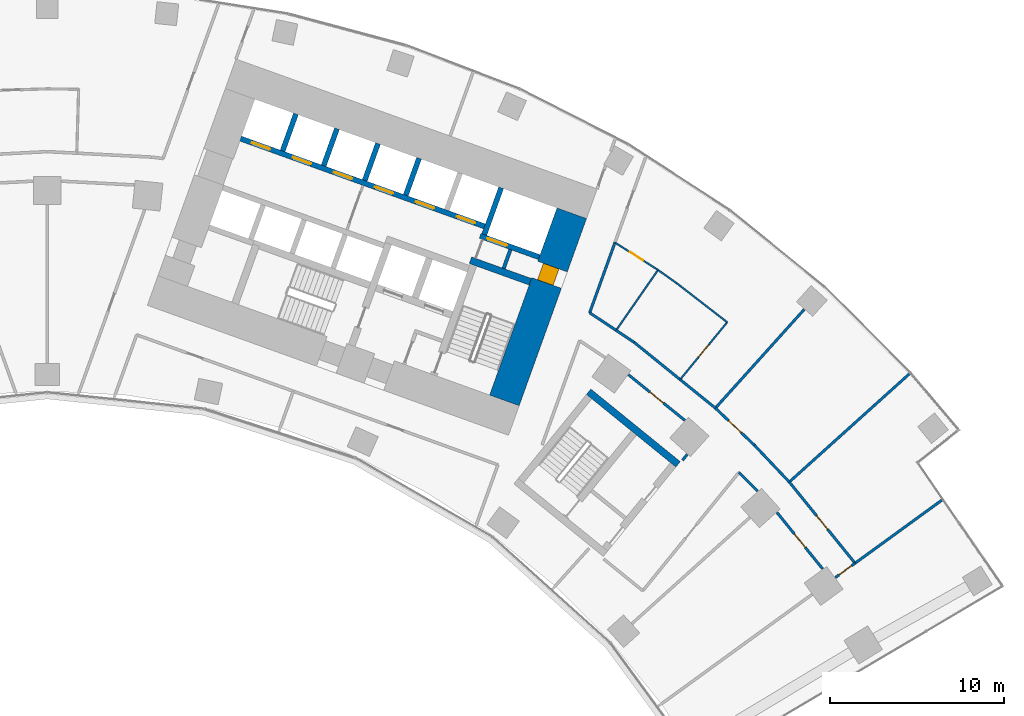
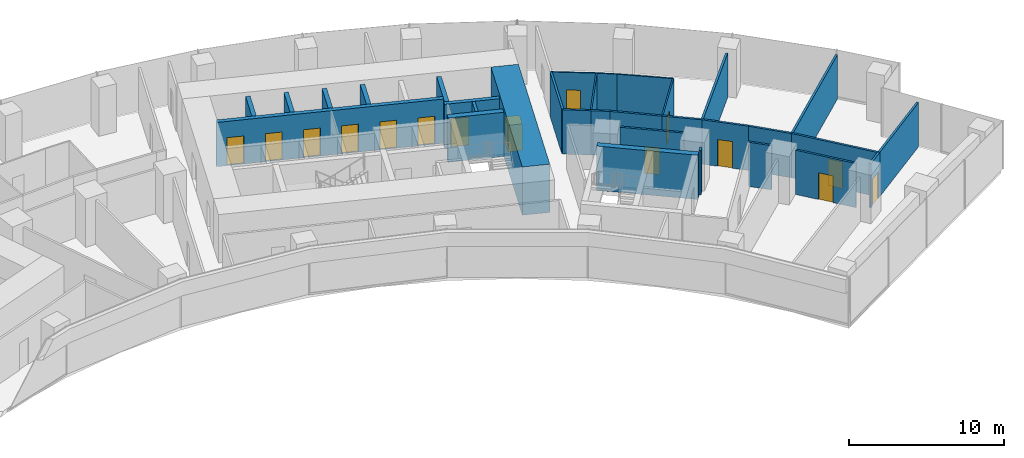
# One storey, part 18 of 21: 32 walls, 15 doors, 15 openings.
"""IFC4 building model written with IfcOpenShell, lengths in metres."""

from ifc_helpers import new_model, si_unit, direction, frame, frame_2d, origin, place, context, subcontext, project, spatial, rectangle, extrude, material, layer, layer_set, type_object, element, fill, save


model = new_model("IFC4")

# Units and contexts
model_context = context("Model", 3, precision=1e-05, world=origin(), true_north=direction((0.0, 1.0)))
body_context = subcontext(model_context, "Body", "Model", "MODEL_VIEW")
ifc_project = project(units=[si_unit("LENGTHUNIT", "METRE"), si_unit("AREAUNIT", "SQUARE_METRE"), si_unit("VOLUMEUNIT", "CUBIC_METRE"), si_unit("PLANEANGLEUNIT", "RADIAN"), si_unit("MASSUNIT", "GRAM", prefix="KILO")], contexts=[model_context])

# Site, building, storey
site_placement = place(None, origin())
site = spatial("IfcSite", under=ifc_project, at=site_placement, CompositionType="ELEMENT")
building_placement = place(site_placement, origin())
building = spatial("IfcBuilding", under=site, at=building_placement, Name="Stone Belt Terrace Tower", CompositionType="ELEMENT")
storey_placement = place(building_placement, frame((0.0, 0.0, 33.800048828125)))
storey = spatial("IfcBuildingStorey", under=building, at=storey_placement, Name="L07", CompositionType="ELEMENT", Elevation=33.800048828125)

# Wall, opening, door
ifc_material_1 = material(Name="Concrete B80", Category="concrete")
ifc_layer_1 = layer(ifc_material_1, 1.800048828125)
ifc_layer_set_1 = layer_set([ifc_layer_1], Name="Core wall 1800 B80")
wall_type_1 = type_object("IfcWallType", Name="Core wall 1800 B80", PredefinedType="SHEAR", material=ifc_layer_set_1)
wall_1_placement = place(storey_placement, frame((26.197509765625, 42.96728515625, 0.0), z_axis=(0.0, 0.0, 1.0), x_axis=(0.338625431531, 0.940921259788, 0.0)))
wall_1 = element("IfcWall", 1, at=wall_1_placement, inside=storey, type_object=wall_type_1, Name="Core B wall end_b L07", PredefinedType="SHEAR", context=body_context, shape_type="SweptSolid", body=[
    extrude(rectangle(XDim=11.400146484375, YDim=1.800048828125, at=frame_2d((5.7001953125, 0.0))), origin(), (0.0, 0.0, 1.0), 3.800048828125),
])
opening_1_placement = place(wall_1_placement, frame((7.150146484375, 0.0, 0.0)))
opening_1 = element("IfcOpeningElement", 2, at=opening_1_placement, cuts=wall_1, Name="Opening L07-C11", PredefinedType="OPENING", context=body_context, shape_type="SweptSolid", body=[
    extrude(rectangle(XDim=1.0, YDim=2.10009765625, at=frame_2d((0.5, 1.050048828125))), frame((0.0, 0.909912109375, 0.0), z_axis=(0.0, -1.0, 0.0), x_axis=(1.0, 0.0, 0.0)), (0.0, 0.0, 1.0), 1.820068359375),
])
ifc_material_2 = material(Name="Timber door leaf", Category="wood")
door_type_1 = type_object("IfcDoorType", Name="Core room door 1000", OperationType="SINGLE_SWING_LEFT", PredefinedType="DOOR", material=ifc_material_2)
door_1_placement = place(opening_1_placement, origin())
door_1 = element("IfcDoor", 3, at=door_1_placement, inside=storey, type_object=door_type_1, Name="Door to Telecommunications riser room core B", OperationType="SINGLE_SWING_RIGHT", OverallHeight=2.10009765625, OverallWidth=1.0, PredefinedType="DOOR", context=body_context, shape_type="SweptSolid", body=[
    extrude(rectangle(XDim=1.0, YDim=2.10009765625, at=frame_2d((0.5, 1.050048828125))), frame((0.0, 0.55517578125, 0.0), z_axis=(0.0, -1.0, 0.0), x_axis=(1.0, 0.0, 0.0)), (0.0, 0.0, 1.0), 0.949951171875),
])
fill(opening_1, door_1)

ifc_layer_2 = layer(ifc_material_1, 0.300048828125)
ifc_layer_set_2 = layer_set([ifc_layer_2], Name="Lift shaft wall 300")
wall_type_2 = type_object("IfcWallType", Name="Lift shaft wall 300", PredefinedType="SHEAR", material=ifc_layer_set_2)
wall_2_placement = place(storey_placement, frame((28.195068359375, 51.17578125, 0.0), z_axis=(0.0, 0.0, 1.0), x_axis=(-0.940901243567, 0.338681044427, 0.0)))
wall_2 = element("IfcWall", 4, at=wall_2_placement, inside=storey, type_object=wall_type_2, Name="Core B wall", PredefinedType="SHEAR", context=body_context, shape_type="SweptSolid", body=[
    extrude(rectangle(XDim=3.599853515625, YDim=0.300048828125, at=frame_2d((1.7998046875, 0.0))), origin(), (0.0, 0.0, 1.0), 3.47998046875),
])
opening_2_placement = place(wall_2_placement, frame((1.969970703125, 0.0, 0.0)))
opening_2 = element("IfcOpeningElement", 5, at=opening_2_placement, cuts=wall_2, Name="Opening L07-LD18", PredefinedType="OPENING", context=body_context, shape_type="SweptSolid", body=[
    extrude(rectangle(XDim=1.199951171875, YDim=2.199951171875, at=frame_2d((0.60009765625, 1.10009765625))), frame((0.0, 0.159912109375, 0.0), z_axis=(0.0, -1.0, 0.0), x_axis=(1.0, 0.0, 0.0)), (0.0, 0.0, 1.0), 0.320068359375),
])
ifc_material_3 = material(Name="Stainless steel door leaf", Category="steel")
door_type_2 = type_object("IfcDoorType", Name="Landing door 1200", OperationType="SLIDING_TO_LEFT", PredefinedType="DOOR", material=ifc_material_3)
door_2_placement = place(opening_2_placement, origin())
door_2 = element("IfcDoor", 6, at=door_2_placement, inside=storey, type_object=door_type_2, Name="Landing door SV1 core B", OperationType="SLIDING_TO_LEFT", OverallHeight=2.199951171875, OverallWidth=1.199951171875, PredefinedType="DOOR", context=body_context, shape_type="SweptSolid", body=[
    extrude(rectangle(XDim=1.199951171875, YDim=2.199951171875, at=frame_2d((0.60009765625, 1.10009765625))), frame((0.0, 0.02490234375, 0.0), z_axis=(0.0, -1.0, 0.0), x_axis=(1.0, 0.0, 0.0)), (0.0, 0.0, 1.0), 0.050048828125),
])
fill(opening_2, door_2)

# Wall
wall_3_placement = place(storey_placement, frame((25.046875, 52.46826171875, 0.0), z_axis=(0.0, 0.0, 1.0), x_axis=(0.338549588058, 0.940948551423, 0.0)))
element("IfcWall", 7, at=wall_3_placement, inside=storey, type_object=wall_type_2, Name="Core B wall", PredefinedType="SHEAR", context=body_context, shape_type="SweptSolid", body=[
    extrude(rectangle(XDim=2.849853515625, YDim=0.300048828125, at=frame_2d((1.4248046875, 0.0))), origin(), (0.0, 0.0, 1.0), 3.47998046875),
])

# Wall, openings, doors
wall_4_placement = place(storey_placement, frame((25.05810546875, 52.9423828125, 0.0), z_axis=(0.0, 0.0, 1.0), x_axis=(-0.940918215764, 0.338633889685, 0.0)))
wall_4 = element("IfcWall", 8, at=wall_4_placement, inside=storey, type_object=wall_type_2, Name="Core B wall", PredefinedType="SHEAR", context=body_context, shape_type="SweptSolid", body=[
    extrude(rectangle(XDim=14.850341796875, YDim=0.300048828125, at=frame_2d((7.42529296875, 0.0))), origin(), (0.0, 0.0, 1.0), 3.47998046875),
])
opening_3_placement = place(wall_4_placement, frame((0.570068359375, 0.0, 0.0)))
opening_3 = element("IfcOpeningElement", 9, at=opening_3_placement, cuts=wall_4, Name="Opening L07-LD10", PredefinedType="OPENING", context=body_context, shape_type="SweptSolid", body=[
    extrude(rectangle(XDim=1.10009765625, YDim=2.199951171875, at=frame_2d((0.550048828125, 1.10009765625))), frame((0.0, 0.159912109375, 0.0), z_axis=(0.0, -1.0, 0.0), x_axis=(1.0, 0.0, 0.0)), (0.0, 0.0, 1.0), 0.320068359375),
])
opening_4_placement = place(wall_4_placement, frame((3.070068359375, 0.0, 0.0)))
opening_4 = element("IfcOpeningElement", 10, at=opening_4_placement, cuts=wall_4, Name="Opening L07-LD11", PredefinedType="OPENING", context=body_context, shape_type="SweptSolid", body=[
    extrude(rectangle(XDim=1.10009765625, YDim=2.199951171875, at=frame_2d((0.550048828125, 1.10009765625))), frame((0.0, 0.159912109375, 0.0), z_axis=(0.0, -1.0, 0.0), x_axis=(1.0, 0.0, 0.0)), (0.0, 0.0, 1.0), 0.320068359375),
])
opening_5_placement = place(wall_4_placement, frame((5.570068359375, 0.0, 0.0)))
opening_5 = element("IfcOpeningElement", 11, at=opening_5_placement, cuts=wall_4, Name="Opening L07-LD12", PredefinedType="OPENING", context=body_context, shape_type="SweptSolid", body=[
    extrude(rectangle(XDim=1.10009765625, YDim=2.199951171875, at=frame_2d((0.550048828125, 1.10009765625))), frame((0.0, 0.159912109375, 0.0), z_axis=(0.0, -1.0, 0.0), x_axis=(1.0, 0.0, 0.0)), (0.0, 0.0, 1.0), 0.320068359375),
])
opening_6_placement = place(wall_4_placement, frame((8.070068359375, 0.0, 0.0)))
opening_6 = element("IfcOpeningElement", 12, at=opening_6_placement, cuts=wall_4, Name="Opening L07-LD13", PredefinedType="OPENING", context=body_context, shape_type="SweptSolid", body=[
    extrude(rectangle(XDim=1.10009765625, YDim=2.199951171875, at=frame_2d((0.550048828125, 1.10009765625))), frame((0.0, 0.159912109375, 0.0), z_axis=(0.0, -1.0, 0.0), x_axis=(1.0, 0.0, 0.0)), (0.0, 0.0, 1.0), 0.320068359375),
])
opening_7_placement = place(wall_4_placement, frame((10.570068359375, 0.0, 0.0)))
opening_7 = element("IfcOpeningElement", 13, at=opening_7_placement, cuts=wall_4, Name="Opening L07-LD14", PredefinedType="OPENING", context=body_context, shape_type="SweptSolid", body=[
    extrude(rectangle(XDim=1.10009765625, YDim=2.199951171875, at=frame_2d((0.550048828125, 1.10009765625))), frame((0.0, 0.159912109375, 0.0), z_axis=(0.0, -1.0, 0.0), x_axis=(1.0, 0.0, 0.0)), (0.0, 0.0, 1.0), 0.320068359375),
])
opening_8_placement = place(wall_4_placement, frame((13.070068359375, 0.0, 0.0)))
opening_8 = element("IfcOpeningElement", 14, at=opening_8_placement, cuts=wall_4, Name="Opening L07-LD15", PredefinedType="OPENING", context=body_context, shape_type="SweptSolid", body=[
    extrude(rectangle(XDim=1.10009765625, YDim=2.199951171875, at=frame_2d((0.550048828125, 1.10009765625))), frame((0.0, 0.159912109375, 0.0), z_axis=(0.0, -1.0, 0.0), x_axis=(1.0, 0.0, 0.0)), (0.0, 0.0, 1.0), 0.320068359375),
])
door_type_3 = type_object("IfcDoorType", Name="Landing door 1100", OperationType="SLIDING_TO_LEFT", PredefinedType="DOOR", material=ifc_material_3)
door_3_placement = place(opening_3_placement, origin())
door_3 = element("IfcDoor", 15, at=door_3_placement, inside=storey, type_object=door_type_3, Name="Landing door LR1 core B", OperationType="SLIDING_TO_LEFT", OverallHeight=2.199951171875, OverallWidth=1.10009765625, PredefinedType="DOOR", context=body_context, shape_type="SweptSolid", body=[
    extrude(rectangle(XDim=1.10009765625, YDim=2.199951171875, at=frame_2d((0.550048828125, 1.10009765625))), frame((0.0, 0.02490234375, 0.0), z_axis=(0.0, -1.0, 0.0), x_axis=(1.0, 0.0, 0.0)), (0.0, 0.0, 1.0), 0.050048828125),
])
fill(opening_3, door_3)
door_4_placement = place(opening_4_placement, origin())
door_4 = element("IfcDoor", 16, at=door_4_placement, inside=storey, type_object=door_type_3, Name="Landing door LR2 core B", OperationType="SLIDING_TO_LEFT", OverallHeight=2.199951171875, OverallWidth=1.10009765625, PredefinedType="DOOR", context=body_context, shape_type="SweptSolid", body=[
    extrude(rectangle(XDim=1.10009765625, YDim=2.199951171875, at=frame_2d((0.550048828125, 1.10009765625))), frame((0.0, 0.02490234375, 0.0), z_axis=(0.0, -1.0, 0.0), x_axis=(1.0, 0.0, 0.0)), (0.0, 0.0, 1.0), 0.050048828125),
])
fill(opening_4, door_4)
door_5_placement = place(opening_5_placement, origin())
door_5 = element("IfcDoor", 17, at=door_5_placement, inside=storey, type_object=door_type_3, Name="Landing door LR3 core B", OperationType="SLIDING_TO_LEFT", OverallHeight=2.199951171875, OverallWidth=1.10009765625, PredefinedType="DOOR", context=body_context, shape_type="SweptSolid", body=[
    extrude(rectangle(XDim=1.10009765625, YDim=2.199951171875, at=frame_2d((0.550048828125, 1.10009765625))), frame((0.0, 0.02490234375, 0.0), z_axis=(0.0, -1.0, 0.0), x_axis=(1.0, 0.0, 0.0)), (0.0, 0.0, 1.0), 0.050048828125),
])
fill(opening_5, door_5)
door_6_placement = place(opening_6_placement, origin())
door_6 = element("IfcDoor", 18, at=door_6_placement, inside=storey, type_object=door_type_3, Name="Landing door LR4 core B", OperationType="SLIDING_TO_LEFT", OverallHeight=2.199951171875, OverallWidth=1.10009765625, PredefinedType="DOOR", context=body_context, shape_type="SweptSolid", body=[
    extrude(rectangle(XDim=1.10009765625, YDim=2.199951171875, at=frame_2d((0.550048828125, 1.10009765625))), frame((0.0, 0.02490234375, 0.0), z_axis=(0.0, -1.0, 0.0), x_axis=(1.0, 0.0, 0.0)), (0.0, 0.0, 1.0), 0.050048828125),
])
fill(opening_6, door_6)
door_7_placement = place(opening_7_placement, origin())
door_7 = element("IfcDoor", 19, at=door_7_placement, inside=storey, type_object=door_type_3, Name="Landing door LR5 core B", OperationType="SLIDING_TO_LEFT", OverallHeight=2.199951171875, OverallWidth=1.10009765625, PredefinedType="DOOR", context=body_context, shape_type="SweptSolid", body=[
    extrude(rectangle(XDim=1.10009765625, YDim=2.199951171875, at=frame_2d((0.550048828125, 1.10009765625))), frame((0.0, 0.02490234375, 0.0), z_axis=(0.0, -1.0, 0.0), x_axis=(1.0, 0.0, 0.0)), (0.0, 0.0, 1.0), 0.050048828125),
])
fill(opening_7, door_7)
door_8_placement = place(opening_8_placement, origin())
door_8 = element("IfcDoor", 20, at=door_8_placement, inside=storey, type_object=door_type_3, Name="Landing door LR6 core B", OperationType="SLIDING_TO_LEFT", OverallHeight=2.199951171875, OverallWidth=1.10009765625, PredefinedType="DOOR", context=body_context, shape_type="SweptSolid", body=[
    extrude(rectangle(XDim=1.10009765625, YDim=2.199951171875, at=frame_2d((0.550048828125, 1.10009765625))), frame((0.0, 0.02490234375, 0.0), z_axis=(0.0, -1.0, 0.0), x_axis=(1.0, 0.0, 0.0)), (0.0, 0.0, 1.0), 0.050048828125),
])
fill(opening_8, door_8)

# Walls
wall_5_placement = place(storey_placement, frame((20.54541015625, 54.72607421875, 0.0), z_axis=(0.0, 0.0, 1.0), x_axis=(0.338569601369, 0.940941350472, 0.0)))
element("IfcWall", 21, at=wall_5_placement, inside=storey, type_object=wall_type_2, Name="Core B wall", PredefinedType="SHEAR", context=body_context, shape_type="SweptSolid", body=[
    extrude(rectangle(XDim=2.249755859375, YDim=0.300048828125, at=frame_2d((1.125, 0.0))), origin(), (0.0, 0.0, 1.0), 3.47998046875),
])
wall_6_placement = place(storey_placement, frame((18.193115234375, 55.572509765625, 0.0), z_axis=(0.0, 0.0, 1.0), x_axis=(0.338535034312, 0.940953787677, 0.0)))
element("IfcWall", 22, at=wall_6_placement, inside=storey, type_object=wall_type_2, Name="Core B wall", PredefinedType="SHEAR", context=body_context, shape_type="SweptSolid", body=[
    extrude(rectangle(XDim=2.25, YDim=0.300048828125, at=frame_2d((1.125, 0.0))), origin(), (0.0, 0.0, 1.0), 3.47998046875),
])
wall_7_placement = place(storey_placement, frame((15.8408203125, 56.419189453125, 0.0), z_axis=(0.0, 0.0, 1.0), x_axis=(0.338569601369, 0.940941350472, 0.0)))
element("IfcWall", 23, at=wall_7_placement, inside=storey, type_object=wall_type_2, Name="Core B wall", PredefinedType="SHEAR", context=body_context, shape_type="SweptSolid", body=[
    extrude(rectangle(XDim=2.249755859375, YDim=0.300048828125, at=frame_2d((1.125, 0.0))), origin(), (0.0, 0.0, 1.0), 3.47998046875),
])
wall_8_placement = place(storey_placement, frame((13.48828125, 57.265625, 0.0), z_axis=(0.0, 0.0, 1.0), x_axis=(0.338631098537, 0.940919220286, 0.0)))
element("IfcWall", 24, at=wall_8_placement, inside=storey, type_object=wall_type_2, Name="Core B wall", PredefinedType="SHEAR", context=body_context, shape_type="SweptSolid", body=[
    extrude(rectangle(XDim=2.250244140625, YDim=0.300048828125, at=frame_2d((1.125, 0.0))), origin(), (0.0, 0.0, 1.0), 3.47998046875),
])

# Wall, opening, door
ifc_material_4 = material(Name="Gypsum board partition")
ifc_layer_3 = layer(ifc_material_4, 0.10009765625)
ifc_layer_set_3 = layer_set([ifc_layer_3], Name="PARTITION 100")
wall_type_3 = type_object("IfcWallType", Name="PARTITION 100", PredefinedType="PARTITIONING", material=ifc_layer_set_3)
wall_9_placement = place(storey_placement, frame((35.00390625, 50.443115234375, 0.0), z_axis=(0.0, 0.0, 1.0), x_axis=(-0.843871015594, 0.536546092186, 0.0)))
wall_9 = element("IfcWall", 25, at=wall_9_placement, inside=storey, type_object=wall_type_3, Name="L07/wall/i072", PredefinedType="PARTITIONING", context=body_context, shape_type="SweptSolid", body=[
    extrude(rectangle(XDim=2.92578125, YDim=0.10009765625, at=frame_2d((1.462890625, 0.0))), origin(), (0.0, 0.0, 1.0), 3.47998046875),
])
opening_9_placement = place(wall_9_placement, frame((1.012939453125, 0.0, 0.0)))
opening_9 = element("IfcOpeningElement", 26, at=opening_9_placement, cuts=wall_9, Name="Opening D-A1b-22", PredefinedType="OPENING", context=body_context, shape_type="SweptSolid", body=[
    extrude(rectangle(XDim=0.89990234375, YDim=2.10009765625, at=frame_2d((0.449951171875, 1.050048828125))), frame((0.0, 0.06005859375, 0.0), z_axis=(0.0, -1.0, 0.0), x_axis=(1.0, 0.0, 0.0)), (0.0, 0.0, 1.0), 0.1201171875),
])
door_type_4 = type_object("IfcDoorType", Name="OFFICE DOOR 900 X 2100", OperationType="NOTDEFINED", PredefinedType="DOOR", material=ifc_material_2)
door_9_placement = place(opening_9_placement, origin())
door_9 = element("IfcDoor", 27, at=door_9_placement, inside=storey, type_object=door_type_4, Name="L07/door/i22", OperationType="SINGLE_SWING_RIGHT", OverallHeight=2.10009765625, OverallWidth=0.89990234375, PredefinedType="DOOR", context=body_context, shape_type="SweptSolid", body=[
    extrude(rectangle(XDim=0.89990234375, YDim=2.10009765625, at=frame_2d((0.449951171875, 1.050048828125))), frame((0.0, 0.02490234375, 0.0), z_axis=(0.0, -1.0, 0.0), x_axis=(1.0, 0.0, 0.0)), (0.0, 0.0, 1.0), 0.050048828125),
])
fill(opening_9, door_9)

wall_10_placement = place(storey_placement, frame((36.27001953125, 44.162109375, 0.0), z_axis=(0.0, 0.0, 1.0), x_axis=(0.634694105606, 0.772763477598, 0.0)))
wall_10 = element("IfcWall", 28, at=wall_10_placement, inside=storey, type_object=wall_type_3, Name="L07/wall/i073", PredefinedType="PARTITIONING", context=body_context, shape_type="SweptSolid", body=[
    extrude(rectangle(XDim=4.2509765625, YDim=0.10009765625, at=frame_2d((2.12548828125, 0.0))), origin(), (0.0, 0.0, 1.0), 3.47998046875),
])
opening_10_placement = place(wall_10_placement, frame((1.675537109375, 0.0, 0.0)))
opening_10 = element("IfcOpeningElement", 29, at=opening_10_placement, cuts=wall_10, Name="Opening D-A1b-23", PredefinedType="OPENING", context=body_context, shape_type="SweptSolid", body=[
    extrude(rectangle(XDim=0.89990234375, YDim=2.10009765625, at=frame_2d((0.449951171875, 1.050048828125))), frame((0.0, 0.06005859375, 0.0), z_axis=(0.0, -1.0, 0.0), x_axis=(1.0, 0.0, 0.0)), (0.0, 0.0, 1.0), 0.1201171875),
])
door_10_placement = place(opening_10_placement, origin())
door_10 = element("IfcDoor", 30, at=door_10_placement, inside=storey, type_object=door_type_4, Name="L07/door/i23", OperationType="SINGLE_SWING_RIGHT", OverallHeight=2.10009765625, OverallWidth=0.89990234375, PredefinedType="DOOR", context=body_context, shape_type="SweptSolid", body=[
    extrude(rectangle(XDim=0.89990234375, YDim=2.10009765625, at=frame_2d((0.449951171875, 1.050048828125))), frame((0.0, 0.02490234375, 0.0), z_axis=(0.0, -1.0, 0.0), x_axis=(1.0, 0.0, 0.0)), (0.0, 0.0, 1.0), 0.050048828125),
])
fill(opening_10, door_10)

# Walls
wall_11_placement = place(storey_placement, frame((38.968017578125, 47.447021484375, 0.0), z_axis=(0.0, 0.0, 1.0), x_axis=(-0.791220068946, 0.61153152208, 0.0)))
element("IfcWall", 31, at=wall_11_placement, inside=storey, type_object=wall_type_3, Name="L07/wall/i074", PredefinedType="PARTITIONING", context=body_context, shape_type="SweptSolid", body=[
    extrude(rectangle(XDim=3.638671875, YDim=0.10009765625, at=frame_2d((1.8193359375, 0.0))), origin(), (0.0, 0.0, 1.0), 3.47998046875),
])
wall_12_placement = place(storey_placement, frame((36.089111328125, 49.672119140625, 0.0), z_axis=(0.0, 0.0, 1.0), x_axis=(-0.815205473907, 0.579171853003, 0.0)))
element("IfcWall", 32, at=wall_12_placement, inside=storey, type_object=wall_type_3, Name="L07/wall/i075", PredefinedType="PARTITIONING", context=body_context, shape_type="SweptSolid", body=[
    extrude(rectangle(XDim=1.331298828125, YDim=0.10009765625, at=frame_2d((0.66552734375, 0.0))), origin(), (0.0, 0.0, 1.0), 3.47998046875),
])
wall_13_placement = place(storey_placement, frame((35.00390625, 50.443115234375, 0.0), z_axis=(0.0, 0.0, 1.0), x_axis=(-0.570116673129, -0.821563740084, 0.0)))
element("IfcWall", 33, at=wall_13_placement, inside=storey, type_object=wall_type_3, Name="L07/wall/i077", PredefinedType="PARTITIONING", context=body_context, shape_type="SweptSolid", body=[
    extrude(rectangle(XDim=4.212890625, YDim=0.10009765625, at=frame_2d((2.1064453125, 0.0))), origin(), (0.0, 0.0, 1.0), 3.47998046875),
])
ifc_layer_4 = layer(ifc_material_4, 0.14990234375)
ifc_layer_set_4 = layer_set([ifc_layer_4], Name="PARTITION 150 EI 60")
wall_type_4 = type_object("IfcWallType", Name="PARTITION 150 EI 60", PredefinedType="PARTITIONING", material=ifc_layer_set_4)
wall_14_placement = place(storey_placement, frame((32.537109375, 52.01904296875, 0.0), z_axis=(0.0, 0.0, 1.0), x_axis=(-0.338671110555, -0.940904819243, 0.0)))
element("IfcWall", 34, at=wall_14_placement, inside=storey, type_object=wall_type_4, Name="L07/wall/i026", PredefinedType="PARTITIONING", context=body_context, shape_type="SweptSolid", body=[
    extrude(rectangle(XDim=4.290771484375, YDim=0.14990234375, at=frame_2d((2.1455078125, 0.0))), origin(), (0.0, 0.0, 1.0), 3.47998046875),
])

# Wall, opening, door
wall_15_placement = place(storey_placement, frame((46.301025390625, 33.638916015625, 0.0), z_axis=(0.0, 0.0, 1.0), x_axis=(-0.809353623303, -0.587321643094, 0.0)))
wall_15 = element("IfcWall", 35, at=wall_15_placement, inside=storey, type_object=wall_type_4, Name="L07/wall/i054", PredefinedType="PARTITIONING", context=body_context, shape_type="SweptSolid", body=[
    extrude(rectangle(XDim=1.40087890625, YDim=0.14990234375, at=frame_2d((0.700439453125, 0.0))), origin(), (0.0, 0.0, 1.0), 3.47998046875),
])
opening_11_placement = place(wall_15_placement, frame((0.25048828125, 0.0, 0.0)))
opening_11 = element("IfcOpeningElement", 36, at=opening_11_placement, cuts=wall_15, Name="Opening D-A1b-17", PredefinedType="OPENING", context=body_context, shape_type="SweptSolid", body=[
    extrude(rectangle(XDim=0.89990234375, YDim=2.10009765625, at=frame_2d((0.449951171875, 1.050048828125))), frame((0.0, 0.0849609375, 0.0), z_axis=(0.0, -1.0, 0.0), x_axis=(1.0, 0.0, 0.0)), (0.0, 0.0, 1.0), 0.169921875),
])
ifc_material_5 = material(Name="Timber fire door leaf", Category="wood")
door_type_5 = type_object("IfcDoorType", Name="TENANCY ENTRANCE DOOR 900 X 2100", OperationType="NOTDEFINED", PredefinedType="DOOR", material=ifc_material_5)
door_11_placement = place(opening_11_placement, origin())
door_11 = element("IfcDoor", 37, at=door_11_placement, inside=storey, type_object=door_type_5, Name="L07/door/i17", OperationType="SINGLE_SWING_RIGHT", OverallHeight=2.10009765625, OverallWidth=0.89990234375, PredefinedType="DOOR", context=body_context, shape_type="SweptSolid", body=[
    extrude(rectangle(XDim=0.89990234375, YDim=2.10009765625, at=frame_2d((0.449951171875, 1.050048828125))), frame((0.0, 0.02490234375, 0.0), z_axis=(0.0, -1.0, 0.0), x_axis=(1.0, 0.0, 0.0)), (0.0, 0.0, 1.0), 0.050048828125),
])
fill(opening_11, door_11)

# Wall
wall_16_placement = place(storey_placement, frame((46.291015625, 33.632080078125, 0.0), z_axis=(0.0, 0.0, 1.0), x_axis=(0.809013729568, 0.587789745887, 0.0)))
element("IfcWall", 38, at=wall_16_placement, inside=storey, type_object=wall_type_4, Name="L07/wall/i056", PredefinedType="PARTITIONING", context=body_context, shape_type="SweptSolid", body=[
    extrude(rectangle(XDim=6.157958984375, YDim=0.14990234375, at=frame_2d((3.0791015625, 0.0))), origin(), (0.0, 0.0, 1.0), 3.47998046875),
])

# Wall, opening, door
wall_17_placement = place(storey_placement, frame((36.540771484375, 41.8232421875, 0.0), z_axis=(0.0, 0.0, 1.0), x_axis=(-0.777128540701, 0.629341903283, 0.0)))
wall_17 = element("IfcWall", 39, at=wall_17_placement, inside=storey, type_object=wall_type_4, Name="L07/wall/i057", PredefinedType="PARTITIONING", context=body_context, shape_type="SweptSolid", body=[
    extrude(rectangle(XDim=4.15478515625, YDim=0.14990234375, at=frame_2d((2.077392578125, 0.0))), origin(), (0.0, 0.0, 1.0), 3.47998046875),
])
opening_12_placement = place(wall_17_placement, frame((1.577392578125, 0.0, 0.0)))
opening_12 = element("IfcOpeningElement", 40, at=opening_12_placement, cuts=wall_17, Name="Opening D-A1b-18", PredefinedType="OPENING", context=body_context, shape_type="SweptSolid", body=[
    extrude(rectangle(XDim=1.0, YDim=2.10009765625, at=frame_2d((0.5, 1.050048828125))), frame((0.0, 0.0849609375, 0.0), z_axis=(0.0, -1.0, 0.0), x_axis=(1.0, 0.0, 0.0)), (0.0, 0.0, 1.0), 0.169921875),
])
door_type_6 = type_object("IfcDoorType", Name="TENANCY ENTRANCE DOOR 1000 X 2100", OperationType="NOTDEFINED", PredefinedType="DOOR", material=ifc_material_5)
door_12_placement = place(opening_12_placement, origin())
door_12 = element("IfcDoor", 41, at=door_12_placement, inside=storey, type_object=door_type_6, Name="L07/door/i18", OperationType="SINGLE_SWING_RIGHT", OverallHeight=2.10009765625, OverallWidth=1.0, PredefinedType="DOOR", context=body_context, shape_type="SweptSolid", body=[
    extrude(rectangle(XDim=1.0, YDim=2.10009765625, at=frame_2d((0.5, 1.050048828125))), frame((0.0, 0.02490234375, 0.0), z_axis=(0.0, -1.0, 0.0), x_axis=(1.0, 0.0, 0.0)), (0.0, 0.0, 1.0), 0.050048828125),
])
fill(opening_12, door_12)

# Walls
wall_18_placement = place(storey_placement, frame((36.264892578125, 44.166015625, 0.0), z_axis=(0.0, 0.0, 1.0), x_axis=(0.777255775806, -0.629184757425, 0.0)))
element("IfcWall", 42, at=wall_18_placement, inside=storey, type_object=wall_type_4, Name="L07/wall/i059", PredefinedType="PARTITIONING", context=body_context, shape_type="SweptSolid", body=[
    extrude(rectangle(XDim=2.606689453125, YDim=0.14990234375, at=frame_2d((1.30322265625, 0.0))), origin(), (0.0, 0.0, 1.0), 3.47998046875),
])
wall_19_placement = place(storey_placement, frame((31.0859375, 47.988037109375, 0.0), z_axis=(0.0, 0.0, 1.0), x_axis=(0.833303417855, -0.552815895023, 0.0)))
element("IfcWall", 43, at=wall_19_placement, inside=storey, type_object=wall_type_4, Name="L07/wall/i060", PredefinedType="PARTITIONING", context=body_context, shape_type="SweptSolid", body=[
    extrude(rectangle(XDim=1.8251953125, YDim=0.14990234375, at=frame_2d((0.91259765625, 0.0))), origin(), (0.0, 0.0, 1.0), 3.47998046875),
])
wall_20_placement = place(storey_placement, frame((32.596923828125, 46.985107421875, 0.0), z_axis=(0.0, 0.0, 1.0), x_axis=(0.833343346871, -0.552755702119, 0.0)))
element("IfcWall", 44, at=wall_20_placement, inside=storey, type_object=wall_type_4, Name="L07/wall/i061", PredefinedType="PARTITIONING", context=body_context, shape_type="SweptSolid", body=[
    extrude(rectangle(XDim=1.246826171875, YDim=0.14990234375, at=frame_2d((0.62353515625, 0.0))), origin(), (0.0, 0.0, 1.0), 3.47998046875),
])
wall_21_placement = place(storey_placement, frame((33.635986328125, 46.2958984375, 0.0), z_axis=(0.0, 0.0, 1.0), x_axis=(0.777003753109, -0.629495963176, 0.0)))
element("IfcWall", 45, at=wall_21_placement, inside=storey, type_object=wall_type_4, Name="L07/wall/i062", PredefinedType="PARTITIONING", context=body_context, shape_type="SweptSolid", body=[
    extrude(rectangle(XDim=3.396240234375, YDim=0.14990234375, at=frame_2d((1.6982421875, 0.0))), origin(), (0.0, 0.0, 1.0), 3.47998046875),
])

# Wall, opening, door
wall_22_placement = place(storey_placement, frame((38.291015625, 42.52587890625, 0.0), z_axis=(0.0, 0.0, 1.0), x_axis=(0.724835843729, -0.688921620829, 0.0)))
wall_22 = element("IfcWall", 46, at=wall_22_placement, inside=storey, type_object=wall_type_4, Name="L07/wall/i063", PredefinedType="PARTITIONING", context=body_context, shape_type="SweptSolid", body=[
    extrude(rectangle(XDim=3.093017578125, YDim=0.14990234375, at=frame_2d((1.54638671875, 0.0))), origin(), (0.0, 0.0, 1.0), 3.47998046875),
])
opening_13_placement = place(wall_22_placement, frame((1.046630859375, 0.0, 0.0)))
opening_13 = element("IfcOpeningElement", 47, at=opening_13_placement, cuts=wall_22, Name="Opening D-A1b-24", PredefinedType="OPENING", context=body_context, shape_type="SweptSolid", body=[
    extrude(rectangle(XDim=1.0, YDim=2.10009765625, at=frame_2d((0.5, 1.050048828125))), frame((0.0, 0.0849609375, 0.0), z_axis=(0.0, -1.0, 0.0), x_axis=(1.0, 0.0, 0.0)), (0.0, 0.0, 1.0), 0.169921875),
])
door_13_placement = place(opening_13_placement, origin())
door_13 = element("IfcDoor", 48, at=door_13_placement, inside=storey, type_object=door_type_6, Name="L07/door/i24", OperationType="SINGLE_SWING_RIGHT", OverallHeight=2.10009765625, OverallWidth=1.0, PredefinedType="DOOR", context=body_context, shape_type="SweptSolid", body=[
    extrude(rectangle(XDim=1.0, YDim=2.10009765625, at=frame_2d((0.5, 1.050048828125))), frame((0.0, 0.02490234375, 0.0), z_axis=(0.0, -1.0, 0.0), x_axis=(1.0, 0.0, 0.0)), (0.0, 0.0, 1.0), 0.050048828125),
])
fill(opening_13, door_13)

# Wall
wall_23_placement = place(storey_placement, frame((40.71240234375, 37.7744140625, 0.0), z_axis=(0.0, 0.0, 1.0), x_axis=(-0.707026065842, 0.707187487318, 0.0)))
element("IfcWall", 49, at=wall_23_placement, inside=storey, type_object=wall_type_4, Name="L07/wall/i064", PredefinedType="PARTITIONING", context=body_context, shape_type="SweptSolid", body=[
    extrude(rectangle(XDim=1.512451171875, YDim=0.14990234375, at=frame_2d((0.75634765625, 0.0))), origin(), (0.0, 0.0, 1.0), 3.47998046875),
])

# Wall, opening, door
wall_24_placement = place(storey_placement, frame((44.43798828125, 33.31201171875, 0.0), z_axis=(0.0, 0.0, 1.0), x_axis=(-0.629213442028, 0.777232554884, 0.0)))
wall_24 = element("IfcWall", 50, at=wall_24_placement, inside=storey, type_object=wall_type_4, Name="L07/wall/i065", PredefinedType="PARTITIONING", context=body_context, shape_type="SweptSolid", body=[
    extrude(rectangle(XDim=4.15478515625, YDim=0.14990234375, at=frame_2d((2.077392578125, 0.0))), origin(), (0.0, 0.0, 1.0), 3.47998046875),
])
opening_14_placement = place(wall_24_placement, frame((1.577392578125, 0.0, 0.0)))
opening_14 = element("IfcOpeningElement", 51, at=opening_14_placement, cuts=wall_24, Name="Opening D-A1b-20", PredefinedType="OPENING", context=body_context, shape_type="SweptSolid", body=[
    extrude(rectangle(XDim=1.0, YDim=2.10009765625, at=frame_2d((0.5, 1.050048828125))), frame((0.0, 0.0849609375, 0.0), z_axis=(0.0, -1.0, 0.0), x_axis=(1.0, 0.0, 0.0)), (0.0, 0.0, 1.0), 0.169921875),
])
door_14_placement = place(opening_14_placement, origin())
door_14 = element("IfcDoor", 52, at=door_14_placement, inside=storey, type_object=door_type_6, Name="L07/door/i20", OperationType="SINGLE_SWING_RIGHT", OverallHeight=2.10009765625, OverallWidth=1.0, PredefinedType="DOOR", context=body_context, shape_type="SweptSolid", body=[
    extrude(rectangle(XDim=1.0, YDim=2.10009765625, at=frame_2d((0.5, 1.050048828125))), frame((0.0, 0.02490234375, 0.0), z_axis=(0.0, -1.0, 0.0), x_axis=(1.0, 0.0, 0.0)), (0.0, 0.0, 1.0), 0.050048828125),
])
fill(opening_14, door_14)

# Wall
wall_25_placement = place(storey_placement, frame((40.532958984375, 40.39501953125, 0.0), z_axis=(0.0, 0.0, 1.0), x_axis=(0.687681554755, -0.726012451167, 0.0)))
element("IfcWall", 53, at=wall_25_placement, inside=storey, type_object=wall_type_4, Name="L07/wall/i066", PredefinedType="PARTITIONING", context=body_context, shape_type="SweptSolid", body=[
    extrude(rectangle(XDim=2.89794921875, YDim=0.14990234375, at=frame_2d((1.448974609375, 0.0))), origin(), (0.0, 0.0, 1.0), 3.47998046875),
])

# Wall, opening, door
wall_26_placement = place(storey_placement, frame((42.527099609375, 38.2900390625, 0.0), z_axis=(0.0, 0.0, 1.0), x_axis=(0.629322532513, -0.77714422733, 0.0)))
wall_26 = element("IfcWall", 54, at=wall_26_placement, inside=storey, type_object=wall_type_4, Name="L07/wall/i067", PredefinedType="PARTITIONING", context=body_context, shape_type="SweptSolid", body=[
    extrude(rectangle(XDim=5.98876953125, YDim=0.14990234375, at=frame_2d((2.994384765625, 0.0))), origin(), (0.0, 0.0, 1.0), 3.47998046875),
])
opening_15_placement = place(wall_26_placement, frame((2.494384765625, 0.0, 0.0)))
opening_15 = element("IfcOpeningElement", 55, at=opening_15_placement, cuts=wall_26, Name="Opening D-A1b-25", PredefinedType="OPENING", context=body_context, shape_type="SweptSolid", body=[
    extrude(rectangle(XDim=1.0, YDim=2.10009765625, at=frame_2d((0.5, 1.050048828125))), frame((0.0, 0.0849609375, 0.0), z_axis=(0.0, -1.0, 0.0), x_axis=(1.0, 0.0, 0.0)), (0.0, 0.0, 1.0), 0.169921875),
])
door_15_placement = place(opening_15_placement, origin())
door_15 = element("IfcDoor", 56, at=door_15_placement, inside=storey, type_object=door_type_6, Name="L07/door/i25", OperationType="SINGLE_SWING_RIGHT", OverallHeight=2.10009765625, OverallWidth=1.0, PredefinedType="DOOR", context=body_context, shape_type="SweptSolid", body=[
    extrude(rectangle(XDim=1.0, YDim=2.10009765625, at=frame_2d((0.5, 1.050048828125))), frame((0.0, 0.02490234375, 0.0), z_axis=(0.0, -1.0, 0.0), x_axis=(1.0, 0.0, 0.0)), (0.0, 0.0, 1.0), 0.050048828125),
])
fill(opening_15, door_15)

# Walls
wall_27_placement = place(storey_placement, frame((36.406005859375, 39.537109375, 0.0), z_axis=(0.0, 0.0, 1.0), x_axis=(0.630378027046, 0.776288311787, 0.0)))
element("IfcWall", 57, at=wall_27_placement, inside=storey, type_object=wall_type_4, Name="L07/wall/i068", PredefinedType="PARTITIONING", context=body_context, shape_type="SweptSolid", body=[
    extrude(rectangle(XDim=0.428466796875, YDim=0.14990234375, at=frame_2d((0.21435546875, 0.0))), origin(), (0.0, 0.0, 1.0), 3.47998046875),
])
wall_28_placement = place(storey_placement, frame((43.382080078125, 48.18115234375, 0.0), z_axis=(0.0, 0.0, 1.0), x_axis=(-0.669060448127, -0.743207990237, 0.0)))
element("IfcWall", 58, at=wall_28_placement, inside=storey, type_object=wall_type_4, Name="L07/wall/i076", PredefinedType="PARTITIONING", context=body_context, shape_type="SweptSolid", body=[
    extrude(rectangle(XDim=7.609375, YDim=0.14990234375, at=frame_2d((3.8046875, 0.0))), origin(), (0.0, 0.0, 1.0), 3.47998046875),
])
wall_29_placement = place(storey_placement, frame((49.418212890625, 44.496826171875, 0.0), z_axis=(0.0, 0.0, 1.0), x_axis=(-0.743148838472, -0.66912614945, 0.0)))
element("IfcWall", 59, at=wall_29_placement, inside=storey, type_object=wall_type_4, Name="L07/wall/i078", PredefinedType="PARTITIONING", context=body_context, shape_type="SweptSolid", body=[
    extrude(rectangle(XDim=9.2744140625, YDim=0.14990234375, at=frame_2d((4.63720703125, 0.0))), origin(), (0.0, 0.0, 1.0), 3.47998046875),
])
ifc_material_6 = material(Name="Concrete masonry block", Category="masonry")
ifc_layer_5 = layer(ifc_material_6, 0.199951171875)
ifc_layer_set_5 = layer_set([ifc_layer_5], Name="Rated lobby wall 200")
wall_type_5 = type_object("IfcWallType", Name="Rated lobby wall 200", PredefinedType="PARTITIONING", material=ifc_layer_set_5)
wall_30_placement = place(storey_placement, frame((26.1552734375, 50.5283203125, 0.0), z_axis=(0.0, 0.0, 1.0), x_axis=(0.338621735342, 0.94092258999, 0.0)))
element("IfcWall", 60, at=wall_30_placement, inside=storey, type_object=wall_type_5, Name="Core B wall", PredefinedType="PARTITIONING", context=body_context, shape_type="SweptSolid", body=[
    extrude(rectangle(XDim=1.14990234375, YDim=0.199951171875, at=frame_2d((0.574951171875, 0.0))), origin(), (0.0, 0.0, 1.0), 3.47998046875),
])
ifc_layer_6 = layer(ifc_material_1, 0.39990234375)
ifc_layer_set_6 = layer_set([ifc_layer_6], Name="Stair enclosure wall 400")
wall_type_6 = type_object("IfcWallType", Name="Stair enclosure wall 400", PredefinedType="SHEAR", material=ifc_layer_set_6)
wall_31_placement = place(storey_placement, frame((27.687255859375, 49.764404296875, 0.0), z_axis=(0.0, 0.0, 1.0), x_axis=(-0.940918954884, 0.338631835981, 0.0)))
element("IfcWall", 61, at=wall_31_placement, inside=storey, type_object=wall_type_6, Name="Core B wall", PredefinedType="SHEAR", context=body_context, shape_type="SweptSolid", body=[
    extrude(rectangle(XDim=3.650146484375, YDim=0.39990234375, at=frame_2d((1.8251953125, 0.0))), origin(), (0.0, 0.0, 1.0), 3.47998046875),
])
wall_32_placement = place(storey_placement, frame((31.02783203125, 43.46337890625, 0.0), z_axis=(0.0, 0.0, 1.0), x_axis=(0.776413760801, -0.630223509589, 0.0)))
element("IfcWall", 62, at=wall_32_placement, inside=storey, type_object=wall_type_6, Name="Exit stair ST3B wall", PredefinedType="SHEAR", context=body_context, shape_type="SweptSolid", body=[
    extrude(rectangle(XDim=6.599853515625, YDim=0.39990234375, at=frame_2d((3.2998046875, 0.0))), origin(), (0.0, 0.0, 1.0), 3.47998046875),
])

save(model, "model.ifc")
